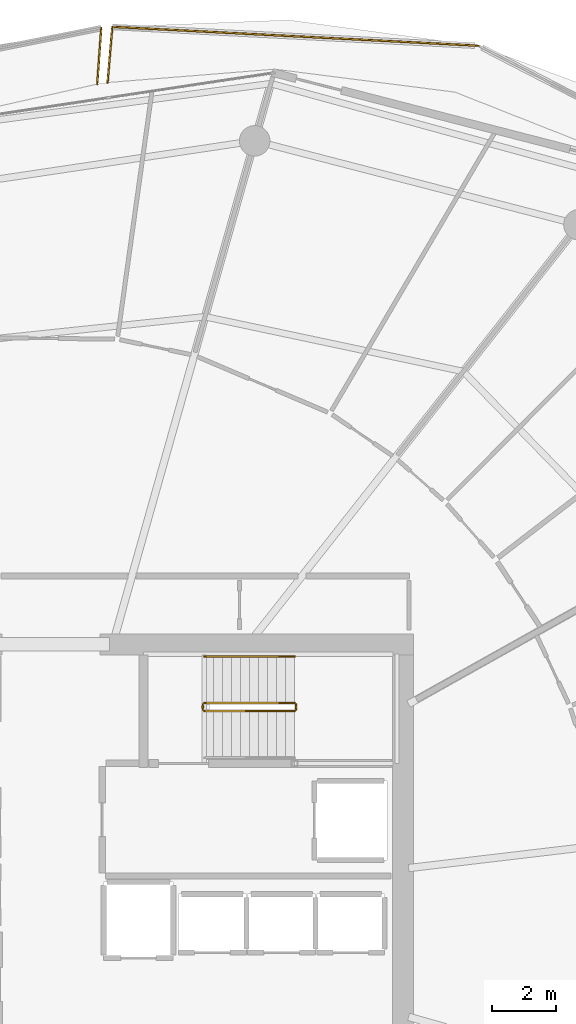
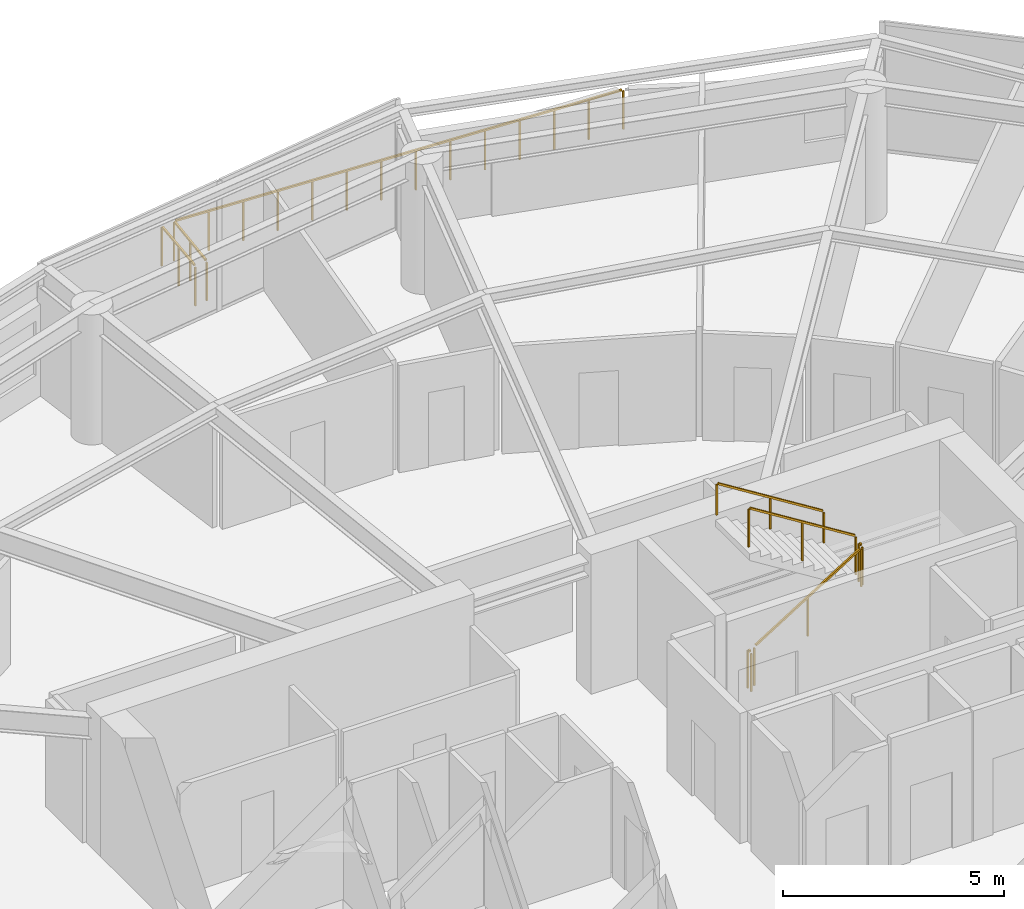
# One storey, part 30 of 31: 8 railings.
"""IFC4 building model written with IfcOpenShell, lengths in metres."""

from ifc_helpers import new_model, si_unit, direction, frame, origin, origin_2d, place, context, subcontext, project, spatial, rectangle, extrude, material, type_object, element, save


model = new_model("IFC4")

# Units and contexts
model_context = context("Model", 3, precision=1e-05, world=origin(), true_north=direction((0.0, 1.0)))
body_context = subcontext(model_context, "Body", "Model", "MODEL_VIEW")
ifc_project = project(units=[si_unit("LENGTHUNIT", "METRE"), si_unit("AREAUNIT", "SQUARE_METRE"), si_unit("VOLUMEUNIT", "CUBIC_METRE"), si_unit("PLANEANGLEUNIT", "RADIAN"), si_unit("MASSUNIT", "GRAM", prefix="KILO")], contexts=[model_context])

# Site, building, storey
site_placement = place(None, origin())
site = spatial("IfcSite", under=ifc_project, at=site_placement, CompositionType="ELEMENT")
building_placement = place(site_placement, origin())
building = spatial("IfcBuilding", under=site, at=building_placement, Name="Kazma Halo Residences", CompositionType="ELEMENT")
storey_placement = place(building_placement, frame((0.0, 0.0, 240.550048828125)))
storey = spatial("IfcBuildingStorey", under=building, at=storey_placement, Name="L60", CompositionType="ELEMENT", Elevation=240.550048828125)

# Railings
ifc_material_1 = material(Name="Aluminium AW-6063 T6 Brushed Cap Rail", Category="aluminium")
railing_type_1 = type_object("IfcRailingType", Name="RLG-BAL-CAP-1120", PredefinedType="BALUSTRADE", material=ifc_material_1)
railing_1_placement = place(storey_placement, frame((61.72509765625, 68.936767578125, 0.0)))
element("IfcRailing", 1, at=railing_1_placement, inside=storey, type_object=railing_type_1, Name="L60 NE wave balcony guard 3", PredefinedType="BALUSTRADE", context=body_context, shape_type="SweptSolid", body=[
    extrude(rectangle(XDim=0.050048828125, YDim=0.050048828125, at=origin_2d()), frame((-0.04248046875, 0.002197265625, 1.09521484375), z_axis=(-0.998674943088, 0.051462200188, 0.0), x_axis=(-0.051462200188, -0.998674943088, 0.0)), (0.0, 0.0, 1.0), 11.319580078125),
    extrude(rectangle(XDim=0.0400390625, YDim=0.0400390625, at=origin_2d()), origin(), (0.0, 0.0, 1.0), 1.05810546875),
    extrude(rectangle(XDim=0.0400390625, YDim=0.0400390625, at=origin_2d()), frame((-0.876220703125, 0.045166015625, 0.0)), (0.0, 0.0, 1.0), 1.05810546875),
    extrude(rectangle(XDim=0.0400390625, YDim=0.0400390625, at=origin_2d()), frame((-1.752197265625, 0.09033203125, 0.0)), (0.0, 0.0, 1.0), 1.05810546875),
    extrude(rectangle(XDim=0.0400390625, YDim=0.0400390625, at=origin_2d()), frame((-2.62841796875, 0.135498046875, 0.0)), (0.0, 0.0, 1.0), 1.05810546875),
    extrude(rectangle(XDim=0.0400390625, YDim=0.0400390625, at=origin_2d()), frame((-3.50439453125, 0.1806640625, 0.0)), (0.0, 0.0, 1.0), 1.05810546875),
    extrude(rectangle(XDim=0.0400390625, YDim=0.0400390625, at=origin_2d()), frame((-4.380615234375, 0.225830078125, 0.0)), (0.0, 0.0, 1.0), 1.05810546875),
    extrude(rectangle(XDim=0.0400390625, YDim=0.0400390625, at=origin_2d()), frame((-5.2568359375, 0.27099609375, 0.0)), (0.0, 0.0, 1.0), 1.05810546875),
    extrude(rectangle(XDim=0.0400390625, YDim=0.0400390625, at=origin_2d()), frame((-6.1328125, 0.31591796875, 0.0)), (0.0, 0.0, 1.0), 1.05810546875),
    extrude(rectangle(XDim=0.0400390625, YDim=0.0400390625, at=origin_2d()), frame((-7.009033203125, 0.361083984375, 0.0)), (0.0, 0.0, 1.0), 1.05810546875),
    extrude(rectangle(XDim=0.0400390625, YDim=0.0400390625, at=origin_2d()), frame((-7.88525390625, 0.40625, 0.0)), (0.0, 0.0, 1.0), 1.05810546875),
    extrude(rectangle(XDim=0.0400390625, YDim=0.0400390625, at=origin_2d()), frame((-8.76123046875, 0.451416015625, 0.0)), (0.0, 0.0, 1.0), 1.05810546875),
    extrude(rectangle(XDim=0.0400390625, YDim=0.0400390625, at=origin_2d()), frame((-9.637451171875, 0.49658203125, 0.0)), (0.0, 0.0, 1.0), 1.05810546875),
    extrude(rectangle(XDim=0.0400390625, YDim=0.0400390625, at=origin_2d()), frame((-10.513427734375, 0.541748046875, 0.0)), (0.0, 0.0, 1.0), 1.05810546875),
    extrude(rectangle(XDim=0.0400390625, YDim=0.0400390625, at=origin_2d()), frame((-11.3896484375, 0.5869140625, 0.0)), (0.0, 0.0, 1.0), 1.05810546875),
])
railing_2_placement = place(storey_placement, frame((50.33544921875, 69.523681640625, 0.0)))
element("IfcRailing", 2, at=railing_2_placement, inside=storey, type_object=railing_type_1, Name="L60 NE wave balcony guard 4", PredefinedType="BALUSTRADE", context=body_context, shape_type="SweptSolid", body=[
    extrude(rectangle(XDim=0.050048828125, YDim=0.050048828125, at=origin_2d()), frame((-0.003662109375, -0.04248046875, 1.09521484375), z_axis=(-0.084535390585, -0.996420477378, 0.0), x_axis=(0.996420477378, -0.084535390585, 0.0)), (0.0, 0.0, 1.0), 1.650634765625),
    extrude(rectangle(XDim=0.0400390625, YDim=0.0400390625, at=origin_2d()), origin(), (0.0, 0.0, 1.0), 1.05810546875),
    extrude(rectangle(XDim=0.0400390625, YDim=0.0400390625, at=origin_2d()), frame((-0.0732421875, -0.86474609375, 0.0)), (0.0, 0.0, 1.0), 1.05810546875),
    extrude(rectangle(XDim=0.0400390625, YDim=0.0400390625, at=origin_2d()), frame((-0.146728515625, -1.7294921875, 0.0)), (0.0, 0.0, 1.0), 1.05810546875),
])
railing_3_placement = place(storey_placement, frame((49.8681640625, 67.74609375, 0.0)))
element("IfcRailing", 3, at=railing_3_placement, inside=storey, type_object=railing_type_1, Name="L60 NNW wave balcony guard 1", PredefinedType="BALUSTRADE", context=body_context, shape_type="SweptSolid", body=[
    extrude(rectangle(XDim=0.050048828125, YDim=0.050048828125, at=origin_2d()), frame((0.003173828125, 0.04248046875, 1.09521484375), z_axis=(0.072350928263, 0.997379237391, 0.0), x_axis=(-0.997379237391, 0.072350928263, 0.0)), (0.0, 0.0, 1.0), 1.659423828125),
    extrude(rectangle(XDim=0.0400390625, YDim=0.0400390625, at=origin_2d()), origin(), (0.0, 0.0, 1.0), 1.05810546875),
    extrude(rectangle(XDim=0.0400390625, YDim=0.0400390625, at=origin_2d()), frame((0.06298828125, 0.8701171875, 0.0)), (0.0, 0.0, 1.0), 1.05810546875),
    extrude(rectangle(XDim=0.0400390625, YDim=0.0400390625, at=origin_2d()), frame((0.126220703125, 1.739990234375, 0.0)), (0.0, 0.0, 1.0), 1.05810546875),
])
ifc_material_2 = material(Name="Painted Steel S355", Category="steel")
railing_type_2 = type_object("IfcRailingType", Name="RLG-STAIR-GRD-1100", PredefinedType="GUARDRAIL", material=ifc_material_2)
railing_4_placement = place(storey_placement, frame((53.199951171875, 48.25, 0.175048828125)))
element("IfcRailing", 4, at=railing_4_placement, inside=storey, type_object=railing_type_2, Name="L60 ST-02 stair guard 1", PredefinedType="GUARDRAIL", context=body_context, shape_type="SweptSolid", body=[
    extrude(rectangle(XDim=0.050048828125, YDim=0.050048828125, at=origin_2d()), frame((0.0361328125, 0.0, 1.09765625), z_axis=(0.848002457836, 0.0, 0.529992293815), x_axis=(0.0, 1.0, 0.0)), (0.0, 0.0, 1.0), 3.216796875),
    extrude(rectangle(XDim=0.0400390625, YDim=0.0400390625, at=origin_2d()), origin(), (0.0, 0.0, 1.0), 1.0380859375),
    extrude(rectangle(XDim=0.0400390625, YDim=0.0400390625, at=origin_2d()), frame((1.39990234375, 0.0, 0.875)), (0.0, 0.0, 1.0), 1.0380859375),
    extrude(rectangle(XDim=0.0400390625, YDim=0.0400390625, at=origin_2d()), frame((2.800048828125, 0.0, 1.75)), (0.0, 0.0, 1.0), 1.0380859375),
])
railing_5_placement = place(storey_placement, frame((56.050048828125, 48.300048828125, 1.925048828125)))
element("IfcRailing", 5, at=railing_5_placement, inside=storey, type_object=railing_type_2, Name="L60 ST-02 stair guard 2", PredefinedType="GUARDRAIL", context=body_context, shape_type="SweptSolid", body=[
    extrude(rectangle(XDim=0.050048828125, YDim=0.050048828125, at=origin_2d()), frame((0.0, 0.04248046875, 1.0751953125), z_axis=(0.0, 1.0, 0.0), x_axis=(-1.0, 0.0, 0.0)), (0.0, 0.0, 1.0), 0.06494140625),
    extrude(rectangle(XDim=0.0400390625, YDim=0.0400390625, at=origin_2d()), origin(), (0.0, 0.0, 1.0), 1.0380859375),
    extrude(rectangle(XDim=0.0400390625, YDim=0.0400390625, at=origin_2d()), frame((0.0, 0.14990234375, 0.0)), (0.0, 0.0, 1.0), 1.0380859375),
])
railing_6_placement = place(storey_placement, frame((56.0, 48.5, 2.099853515625)))
element("IfcRailing", 6, at=railing_6_placement, inside=storey, type_object=railing_type_2, Name="L60 ST-02 stair guard 3", PredefinedType="GUARDRAIL", context=body_context, shape_type="SweptSolid", body=[
    extrude(rectangle(XDim=0.050048828125, YDim=0.050048828125, at=origin_2d()), frame((-0.0361328125, 0.0, 1.09765625), z_axis=(-0.848002457836, 0.0, 0.529992293815), x_axis=(0.0, -1.0, 0.0)), (0.0, 0.0, 1.0), 3.216796875),
    extrude(rectangle(XDim=0.0400390625, YDim=0.0400390625, at=origin_2d()), origin(), (0.0, 0.0, 1.0), 1.0380859375),
    extrude(rectangle(XDim=0.0400390625, YDim=0.0400390625, at=origin_2d()), frame((-1.39990234375, 0.0, 0.875)), (0.0, 0.0, 1.0), 1.0380859375),
    extrude(rectangle(XDim=0.0400390625, YDim=0.0400390625, at=origin_2d()), frame((-2.800048828125, 0.0, 1.75)), (0.0, 0.0, 1.0), 1.0380859375),
])
railing_7_placement = place(storey_placement, frame((53.14990234375, 48.300048828125, 0.0)))
element("IfcRailing", 7, at=railing_7_placement, inside=storey, type_object=railing_type_2, Name="L60 ST-02 stair guard 4", PredefinedType="GUARDRAIL", context=body_context, shape_type="SweptSolid", body=[
    extrude(rectangle(XDim=0.050048828125, YDim=0.050048828125, at=origin_2d()), frame((0.0, 0.04248046875, 1.0751953125), z_axis=(0.0, 1.0, 0.0), x_axis=(-1.0, 0.0, 0.0)), (0.0, 0.0, 1.0), 0.06494140625),
    extrude(rectangle(XDim=0.0400390625, YDim=0.0400390625, at=origin_2d()), origin(), (0.0, 0.0, 1.0), 1.0380859375),
    extrude(rectangle(XDim=0.0400390625, YDim=0.0400390625, at=origin_2d()), frame((0.0, 0.14990234375, 0.0)), (0.0, 0.0, 1.0), 1.0380859375),
])
ifc_material_3 = material(Name="Brushed Stainless Steel", Category="steel")
railing_type_3 = type_object("IfcRailingType", Name="RLG-STAIR-HND-900", PredefinedType="HANDRAIL", material=ifc_material_3)
railing_8_placement = place(storey_placement, frame((56.0, 49.949951171875, 2.099853515625)))
element("IfcRailing", 8, at=railing_8_placement, inside=storey, type_object=railing_type_3, Name="L60 ST-02 stair handrail 2", PredefinedType="HANDRAIL", context=body_context, shape_type="SweptSolid", body=[
    extrude(rectangle(XDim=0.050048828125, YDim=0.050048828125, at=origin_2d()), frame((-0.0361328125, 0.0, 0.8974609375), z_axis=(-0.848002457836, 0.0, 0.529992293815), x_axis=(0.0, -1.0, 0.0)), (0.0, 0.0, 1.0), 3.216796875),
    extrude(rectangle(XDim=0.0400390625, YDim=0.0400390625, at=origin_2d()), origin(), (0.0, 0.0, 1.0), 0.837890625),
    extrude(rectangle(XDim=0.0400390625, YDim=0.0400390625, at=origin_2d()), frame((-1.39990234375, 0.0, 0.875)), (0.0, 0.0, 1.0), 0.837890625),
    extrude(rectangle(XDim=0.0400390625, YDim=0.0400390625, at=origin_2d()), frame((-2.800048828125, 0.0, 1.75)), (0.0, 0.0, 1.0), 0.837890625),
])

save(model, "model.ifc")
